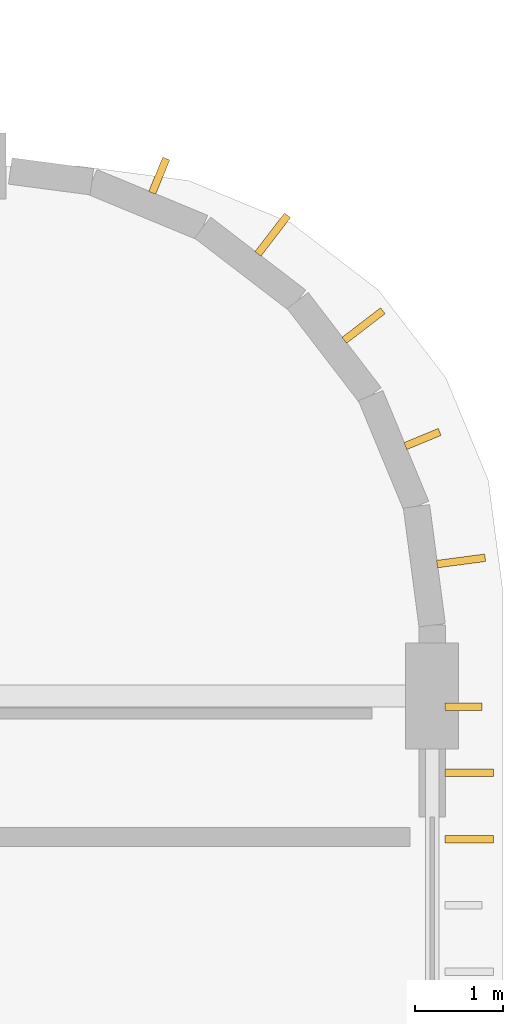
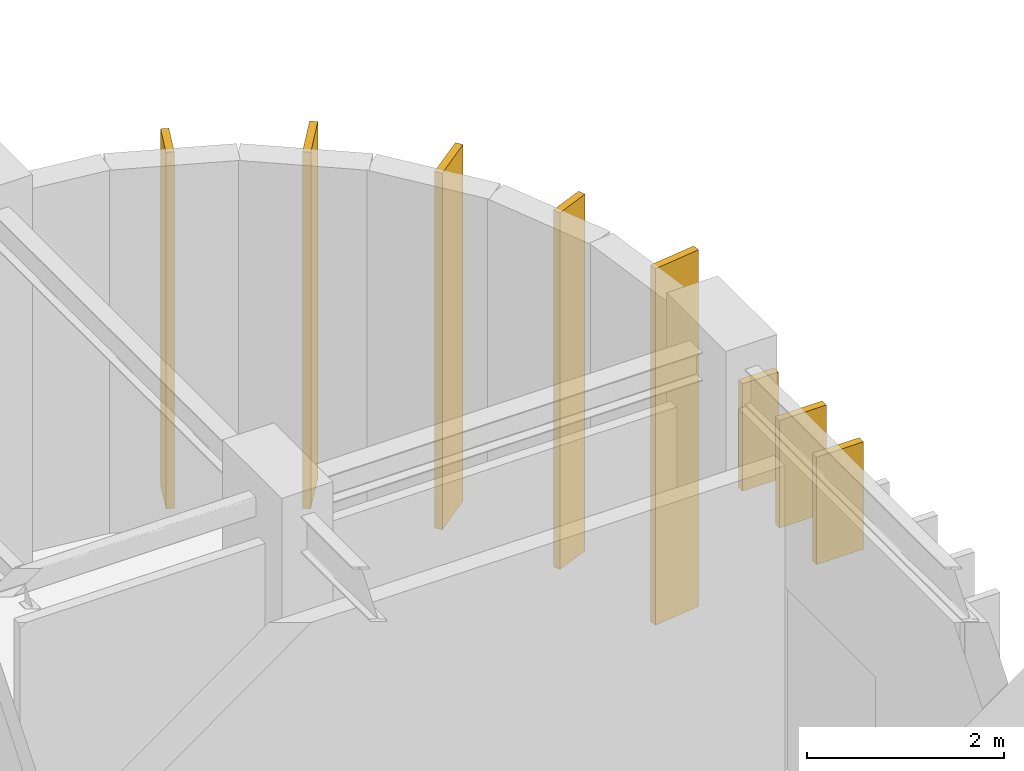
# One storey, part 74 of 76: 8 coverings.
"""IFC4 building model written with IfcOpenShell, lengths in metres."""

from ifc_helpers import new_model, si_unit, direction, frame, origin, origin_2d, place, context, subcontext, project, spatial, rectangle, extrude, material, layer, layer_set, type_object, element, save


model = new_model("IFC4")

# Units and contexts
model_context = context("Model", 3, precision=1e-05, world=origin(), true_north=direction((0.0, 1.0)))
body_context = subcontext(model_context, "Body", "Model", "MODEL_VIEW")
ifc_project = project(units=[si_unit("LENGTHUNIT", "METRE"), si_unit("AREAUNIT", "SQUARE_METRE"), si_unit("VOLUMEUNIT", "CUBIC_METRE"), si_unit("PLANEANGLEUNIT", "RADIAN"), si_unit("MASSUNIT", "GRAM", prefix="KILO")], contexts=[model_context])

# Site, building, storey
site_placement = place(None, origin())
site = spatial("IfcSite", under=ifc_project, at=site_placement, CompositionType="ELEMENT")
building_placement = place(site_placement, origin())
building = spatial("IfcBuilding", under=site, at=building_placement, Name="Varnakota Square Police Headquarters", CompositionType="ELEMENT")
storey_placement = place(building_placement, origin())
storey = spatial("IfcBuildingStorey", under=building, at=storey_placement, Name="L00", CompositionType="ELEMENT", Elevation=0.0)

# Coverings
ifc_material_1 = material(Name="White Anodised Aluminium Vertical Facade Blade 420", Category="aluminium")
ifc_layer_1 = layer(ifc_material_1, 0.0849609375, Name="White Anodised Aluminium Vertical Facade Blade 420")
ifc_layer_set_1 = layer_set([ifc_layer_1], Name="White Anodised Aluminium Vertical Facade Blade 420")
covering_type_1 = type_object("IfcCoveringType", Name="COV-FIN-420", PredefinedType="CLADDING", material=ifc_layer_set_1)
covering_placement = place(storey_placement, frame((161.554931640625, 38.876953125, 2.64990234375), z_axis=(0.0, 0.0, 1.0), x_axis=(0.0, 1.0, 0.0)))
element("IfcCovering", 1, at=covering_placement, inside=storey, type_object=covering_type_1, Name="Vertical aluminium facade fin FIN-0217", PredefinedType="CLADDING", context=body_context, shape_type="SweptSolid", body=[
    extrude(rectangle(XDim=0.0849609375, YDim=0.419921875, at=origin_2d()), origin(), (0.0, 0.0, 1.0), 1.330078125),
])
for number, where, z_axis, x_axis, name in (
    (2, (161.091064453125, 41.90869140625, 0.0400390625), (0.0, 0.0, 1.0), (-0.382683432365, 0.923879532511, 0.0), "Vertical aluminium facade fin FIN-0229"),
    (3, (158.10888671875, 44.89111328125, 0.0400390625), (0.0, 0.0, 1.0), (-0.923879532511, 0.382683432365, 0.0), "Vertical aluminium facade fin FIN-0232"),
):
    element("IfcCovering", number, at=place(storey_placement, frame(where, z_axis=z_axis, x_axis=x_axis)), inside=storey, type_object=covering_type_1, Name=name, PredefinedType="CLADDING", context=body_context, shape_type="SweptSolid", body=[
        extrude(rectangle(XDim=0.0849609375, YDim=0.419921875, at=origin_2d()), origin(), (0.0, 0.0, 1.0), 4.4150390625),
    ])
ifc_material_2 = material(Name="White Anodised Aluminium Vertical Facade Blade 550", Category="aluminium")
ifc_layer_2 = layer(ifc_material_2, 0.0849609375, Name="White Anodised Aluminium Vertical Facade Blade 550")
ifc_layer_set_2 = layer_set([ifc_layer_2], Name="White Anodised Aluminium Vertical Facade Blade 550")
covering_type_2 = type_object("IfcCoveringType", Name="COV-FIN-550", PredefinedType="CLADDING", material=ifc_layer_set_2)
for number, where, z_axis, x_axis, name in (
    (4, (161.6201171875, 37.376953125, 2.64990234375), (0.0, 0.0, 1.0), (0.0, 1.0, 0.0), "Vertical aluminium facade fin FIN-0215"),
    (5, (161.6201171875, 38.126953125, 2.64990234375), (0.0, 0.0, 1.0), (0.0, 1.0, 0.0), "Vertical aluminium facade fin FIN-0216"),
):
    element("IfcCovering", number, at=place(storey_placement, frame(where, z_axis=z_axis, x_axis=x_axis)), inside=storey, type_object=covering_type_2, Name=name, PredefinedType="CLADDING", context=body_context, shape_type="SweptSolid", body=[
        extrude(rectangle(XDim=0.0849609375, YDim=0.550048828125, at=origin_2d()), origin(), (0.0, 0.0, 1.0), 1.330078125),
    ])
for number, where, z_axis, x_axis, name in (
    (6, (161.52783203125, 40.52783203125, 0.0400390625), (0.0, 0.0, 1.0), (-0.13052619222, 0.991444861374, 0.0), "Vertical aluminium facade fin FIN-0228"),
    (7, (160.42333984375, 43.194091796875, 0.0400390625), (0.0, 0.0, 1.0), (-0.608761429009, 0.793353340291, 0.0), "Vertical aluminium facade fin FIN-0230"),
    (8, (159.394287109375, 44.223388671875, 0.0400390625), (0.0, 0.0, 1.0), (-0.793353340291, 0.608761429009, 0.0), "Vertical aluminium facade fin FIN-0231"),
):
    element("IfcCovering", number, at=place(storey_placement, frame(where, z_axis=z_axis, x_axis=x_axis)), inside=storey, type_object=covering_type_2, Name=name, PredefinedType="CLADDING", context=body_context, shape_type="SweptSolid", body=[
        extrude(rectangle(XDim=0.0849609375, YDim=0.550048828125, at=origin_2d()), origin(), (0.0, 0.0, 1.0), 4.4150390625),
    ])

save(model, "model.ifc")
